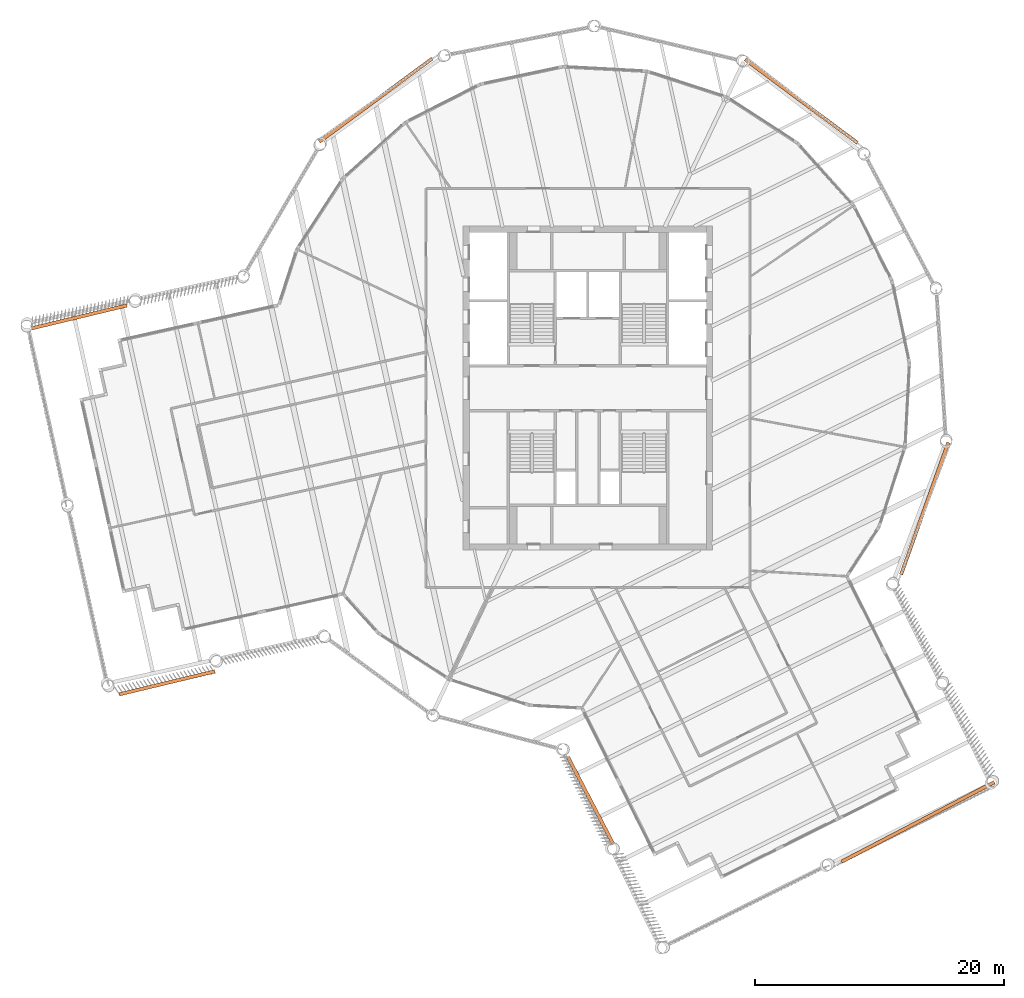
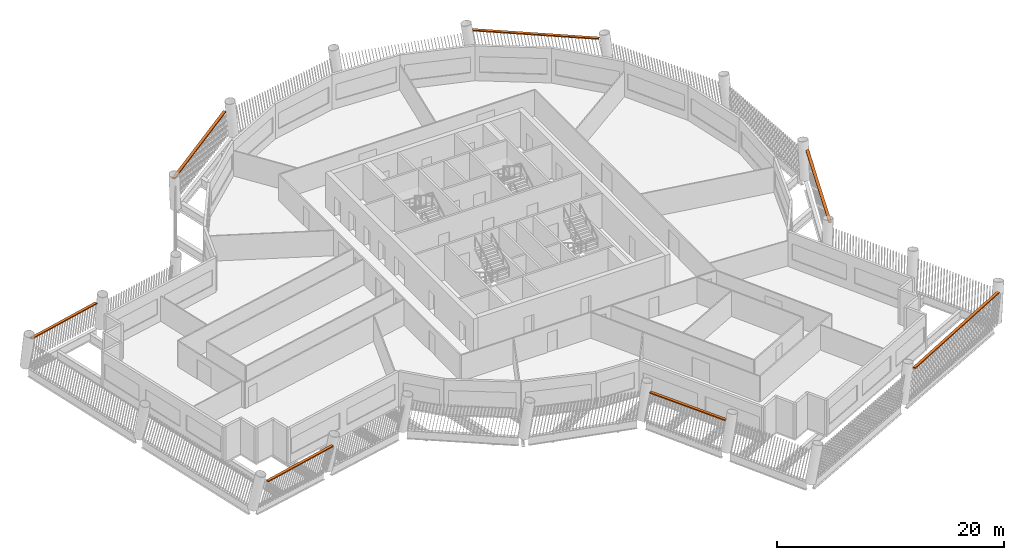
# One storey, part 14 of 14: 7 proxies.
"""IFC4 building model written with IfcOpenShell, lengths in metres."""

from ifc_helpers import new_model, si_unit, direction, frame, origin, origin_2d, place, context, subcontext, project, spatial, rectangle, extrude, material, type_object, element, save


model = new_model("IFC4")

# Units and contexts
model_context = context("Model", 3, precision=1e-05, world=origin(), true_north=direction((0.0, 1.0)))
body_context = subcontext(model_context, "Body", "Model", "MODEL_VIEW")
ifc_project = project(units=[si_unit("LENGTHUNIT", "METRE"), si_unit("AREAUNIT", "SQUARE_METRE"), si_unit("VOLUMEUNIT", "CUBIC_METRE"), si_unit("PLANEANGLEUNIT", "RADIAN"), si_unit("MASSUNIT", "GRAM", prefix="KILO")], contexts=[model_context])

# Site, building, storey
site_placement = place(None, origin())
site = spatial("IfcSite", under=ifc_project, at=site_placement, CompositionType="ELEMENT")
building_placement = place(site_placement, origin())
building = spatial("IfcBuilding", under=site, at=building_placement, Name="Tarsis Ring Headquarters", CompositionType="ELEMENT")
storey_placement = place(building_placement, frame((0.0, 0.0, 335.300048828125)))
storey = spatial("IfcBuildingStorey", under=building, at=storey_placement, Name="L79", CompositionType="ELEMENT", Elevation=335.300048828125)

# Proxies
ifc_material = material(Name="Structural steel S355", Category="steel")
building_element_proxy_type = type_object("IfcBuildingElementProxyType", Name="Screen bracket plate", PredefinedType="USERDEFINED", material=ifc_material)
proxy_1_placement = place(storey_placement, frame((0.218994140625, -33.089599609375, 2.9677734375), z_axis=(0.0, 0.0, 1.0), x_axis=(0.462058241245, -0.88684958234, 0.0)))
element("IfcBuildingElementProxy", 1, at=proxy_1_placement, inside=storey, type_object=building_element_proxy_type, Name="Screen bracket L79-01", ObjectType="Bracket", PredefinedType="USERDEFINED", context=body_context, shape_type="SweptSolid", body=[
    extrude(rectangle(XDim=7.90234375, YDim=0.280029296875, at=origin_2d()), origin(), (0.0, 0.0, 1.0), 0.1201171875),
])
proxy_2_placement = place(storey_placement, frame((26.47509765625, -34.799560546875, 2.9677734375), z_axis=(0.0, 0.0, 1.0), x_axis=(0.88684958234, 0.462058241245, 0.0)))
element("IfcBuildingElementProxy", 2, at=proxy_2_placement, inside=storey, type_object=building_element_proxy_type, Name="Screen bracket L79-04", ObjectType="Bracket", PredefinedType="USERDEFINED", context=body_context, shape_type="SweptSolid", body=[
    extrude(rectangle(XDim=13.800048828125, YDim=0.280029296875, at=origin_2d()), origin(), (0.0, 0.0, 1.0), 0.1201171875),
])
for number, where, z_axis, x_axis, name in (
    (3, (27.014892578125, -9.661376953125, 2.9677734375), (0.0, 0.0, 1.0), (0.336745583745, 0.941595673221, 0.0), "Screen bracket L79-07"),
    (4, (17.126708984375, 23.01806640625, 2.9677734375), (0.0, 0.0, 1.0), (-0.802283873386, 0.596942699516, 0.0), "Screen bracket L79-10"),
    (5, (-17.015869140625, 23.099853515625, 2.9677734375), (0.0, 0.0, 1.0), (-0.805139937371, -0.593084885366, 0.0), "Screen bracket L79-13"),
):
    element("IfcBuildingElementProxy", number, at=place(storey_placement, frame(where, z_axis=z_axis, x_axis=x_axis)), inside=storey, type_object=building_element_proxy_type, Name=name, ObjectType="Bracket", PredefinedType="USERDEFINED", context=body_context, shape_type="SweptSolid", body=[
        extrude(rectangle(XDim=11.248779296875, YDim=0.280029296875, at=origin_2d()), origin(), (0.0, 0.0, 1.0), 0.1201171875),
    ])
for number, where, z_axis, x_axis, name in (
    (6, (-40.815185546875, 5.711181640625, 2.9677734375), (0.0, 0.0, 1.0), (-0.972288393756, -0.233784685912, 0.0), "Screen bracket L79-16"),
    (7, (-33.757080078125, -23.64208984375, 2.9677734375), (0.0, 0.0, 1.0), (0.972288361114, 0.233784821669, 0.0), "Screen bracket L79-19"),
):
    element("IfcBuildingElementProxy", number, at=place(storey_placement, frame(where, z_axis=z_axis, x_axis=x_axis)), inside=storey, type_object=building_element_proxy_type, Name=name, ObjectType="Bracket", PredefinedType="USERDEFINED", context=body_context, shape_type="SweptSolid", body=[
        extrude(rectangle(XDim=7.90234375, YDim=0.280029296875, at=origin_2d()), origin(), (0.0, 0.0, 1.0), 0.1201171875),
    ])

save(model, "model.ifc")
